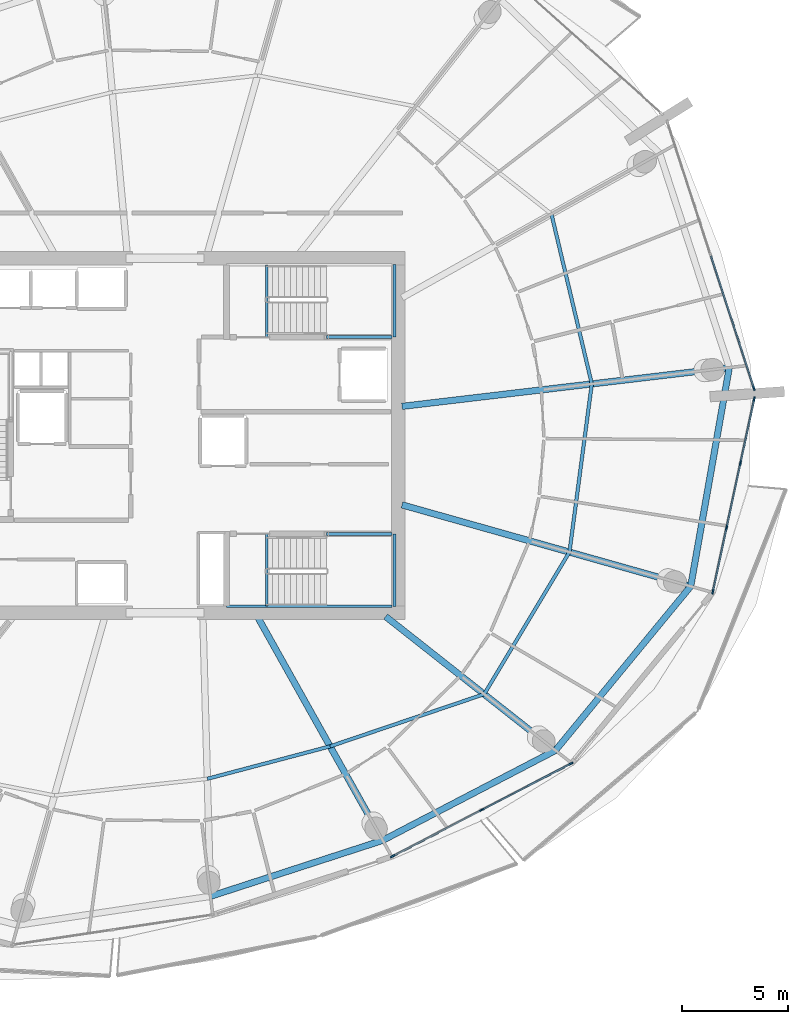
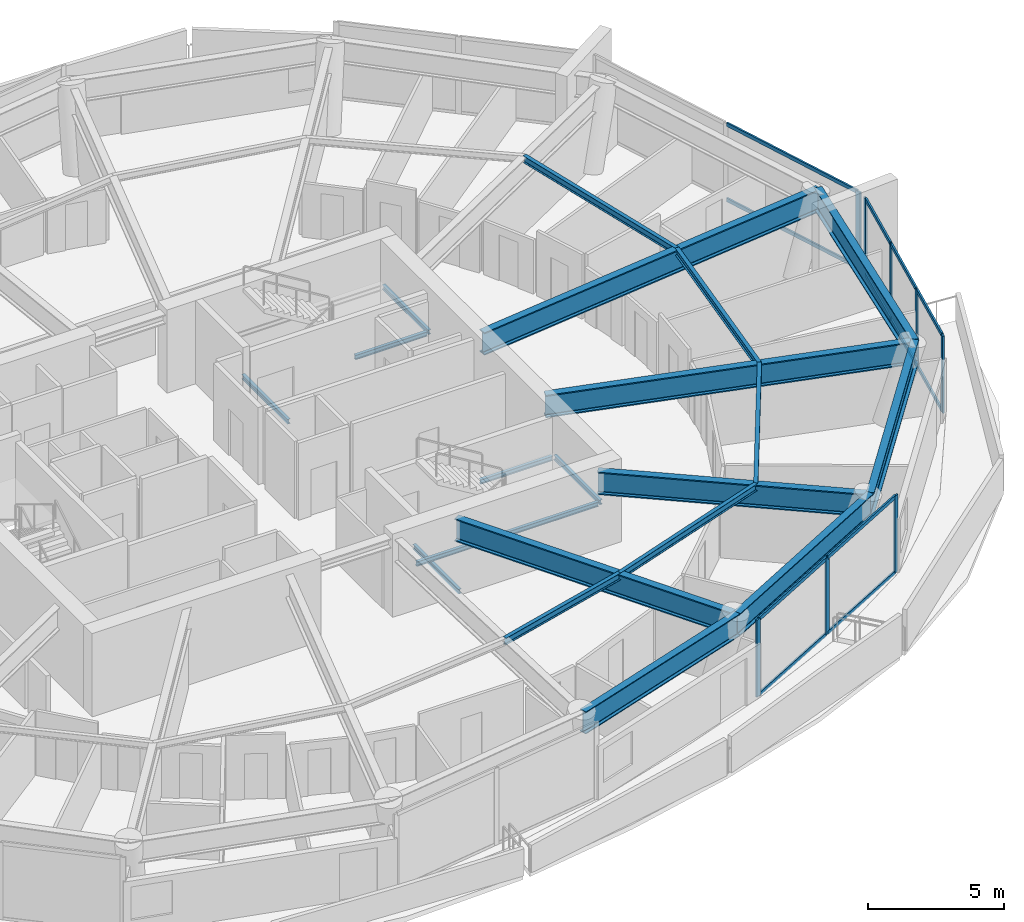
# One storey, part 6 of 20: 20 beams, 20 members, 3 elements without a shape of their own.
"""IFC4 building model written with IfcOpenShell, lengths in metres."""

import ifcopenshell
import ifcopenshell.guid

model = None  # the IFC model being written
_history = None  # IfcOwnerHistory: only IFC2X3 demands one
_inside = {}  # id of a spatial element -> (the spatial element, [elements in it])
_under = {}  # id of a project, library or spatial element -> (it, [spatial elements below it])
_declared = {}  # id of a project -> (the project, [libraries it declares])
_typed = {}  # id of a type object -> (the type object, [elements of that type])
_made_of = {}  # id of a material, layer set ... -> (it, [elements and type objects made of it])


def new_model(schema):
    """Start an empty IFC model of exactly this schema.

    Asked for "IFC4X3", IfcOpenShell would pick the latest addendum, in which some entities
    have other attributes; the version numbers below select the first issue.
    IFC2X3 requires an IfcOwnerHistory on every rooted entity: one is made here for all.
    """
    global model, _history
    if schema == "IFC4X3":
        model = ifcopenshell.file(schema_version=(4, 3, 0, 0))
    else:
        model = ifcopenshell.file(schema=schema)
    _inside.clear()
    _under.clear()
    _declared.clear()
    _typed.clear()
    _made_of.clear()
    _history = None
    if model.schema == "IFC2X3":
        org = make("IfcOrganization", Name="unknown")
        user = make(
            "IfcPersonAndOrganization",
            ThePerson=make("IfcPerson", FamilyName="unknown"),
            TheOrganization=org,
        )
        app = make(
            "IfcApplication",
            ApplicationDeveloper=org,
            Version="unknown",
            ApplicationFullName="unknown",
            ApplicationIdentifier="unknown",
        )
        _history = make(
            "IfcOwnerHistory",
            OwningUser=user,
            OwningApplication=app,
            ChangeAction="ADDED",
            CreationDate=0,
        )
    return model


def make(cls, **values):
    """One entity of the class cls with the attributes given. An attribute that is None is left unset."""
    return model.create_entity(
        cls, **{name: value for name, value in values.items() if value is not None}
    )


def rooted(cls, **values):
    """An entity with a GlobalId (a new one), such as an element, a storey or a relation."""
    return make(cls, GlobalId=ifcopenshell.guid.new(), OwnerHistory=_history, **values)


def si_unit(unit_type, name, prefix=None):
    """IfcSIUnit, for example si_unit("LENGTHUNIT", "METRE", prefix="MILLI")."""
    return make("IfcSIUnit", UnitType=unit_type, Prefix=prefix, Name=name)


def assignment(units):
    """IfcUnitAssignment: the units of a project."""
    return None if units is None else make("IfcUnitAssignment", Units=units)


def point(xyz):
    """IfcCartesianPoint."""
    return None if xyz is None else make("IfcCartesianPoint", Coordinates=xyz)


def direction(xyz):
    """IfcDirection."""
    return None if xyz is None else make("IfcDirection", DirectionRatios=xyz)


def frame(location, z_axis=None, x_axis=None):
    """IfcAxis2Placement3D, a coordinate frame: its origin and axes. An axis left out is left unset."""
    return make(
        "IfcAxis2Placement3D",
        Location=point(location),
        Axis=direction(z_axis),
        RefDirection=direction(x_axis),
    )


def frame_2d(location, x_axis=None):
    """IfcAxis2Placement2D, a coordinate frame in the plane: its origin and x axis."""
    return make(
        "IfcAxis2Placement2D", Location=point(location), RefDirection=direction(x_axis)
    )


def origin():
    """The frame at (0, 0, 0) with its axes left unset."""
    return frame((0.0, 0.0, 0.0))


def origin_2d():
    """The frame at (0, 0) in the plane with its x axis left unset."""
    return frame_2d((0.0, 0.0))


def place(relative_to, where):
    """IfcLocalPlacement: puts the frame where relative to a parent placement (None: the world)."""
    return make(
        "IfcLocalPlacement", PlacementRelTo=relative_to, RelativePlacement=where
    )


def context(
    kind, dimensions, precision=None, world=None, true_north=None, identifier=None
):
    """IfcGeometricRepresentationContext, for example the 3D "Model" context."""
    return make(
        "IfcGeometricRepresentationContext",
        ContextIdentifier=identifier,
        ContextType=kind,
        CoordinateSpaceDimension=dimensions,
        Precision=precision,
        WorldCoordinateSystem=world,
        TrueNorth=true_north,
    )


def subcontext(parent, identifier, kind, view, scale=None):
    """IfcGeometricRepresentationSubContext, for example "Body" below "Model"."""
    return make(
        "IfcGeometricRepresentationSubContext",
        ContextIdentifier=identifier,
        ContextType=kind,
        ParentContext=parent,
        TargetScale=scale,
        TargetView=view,
    )


def project(units=None, contexts=None):
    """IfcProject with its units and contexts."""
    return rooted(
        "IfcProject",
        Name="project",
        RepresentationContexts=contexts,
        UnitsInContext=assignment(units),
    )


def spatial(cls, under=None, at=None, **own):
    """A site, building, storey or space (cls), placed at a placement, below another one or the project."""
    s = rooted(cls, ObjectPlacement=at, **own)
    if under is not None:
        _under.setdefault(under.id(), (under, []))[1].append(s)
    return s


def profile(cls, at=None, kind="AREA", **sizes):
    """A parametric profile (cls). Its sizes go by their IFC names, for example OverallWidth=200.0."""
    return make(cls, ProfileType=kind, Position=at, **sizes)


def rectangle(**sizes):
    """IfcRectangleProfileDef."""
    return profile("IfcRectangleProfileDef", **sizes)


def i_section(**sizes):
    """IfcIShapeProfileDef."""
    return profile("IfcIShapeProfileDef", **sizes)


def extrude(swept, where, along, depth):
    """IfcExtrudedAreaSolid: the profile swept, set in the frame where, extruded along a direction by depth."""
    return make(
        "IfcExtrudedAreaSolid",
        SweptArea=swept,
        Position=where,
        ExtrudedDirection=direction(along),
        Depth=depth,
    )


def shape(context_of_items, identifier, shape_type, items):
    """IfcShapeRepresentation: the items that make up one representation, for example the "Body"."""
    return make(
        "IfcShapeRepresentation",
        ContextOfItems=context_of_items,
        RepresentationIdentifier=identifier,
        RepresentationType=shape_type,
        Items=items,
    )


def material(Name=None, Category=None):
    """IfcMaterial."""
    return make("IfcMaterial", Name=Name, Category=Category)


def layer(
    of_material, thickness, ventilated=None, Name=None, Category=None, Priority=None
):
    """IfcMaterialLayer: one layer of a wall or slab, of a material (None: an air gap)."""
    return make(
        "IfcMaterialLayer",
        Material=of_material,
        LayerThickness=thickness,
        IsVentilated=ventilated,
        Name=Name,
        Category=Category,
        Priority=Priority,
    )


def layer_set(layers, Name=None):
    """IfcMaterialLayerSet."""
    return make("IfcMaterialLayerSet", MaterialLayers=layers, LayerSetName=Name)


def material_profile(
    of_material, cross_section, Name=None, Category=None, Priority=None
):
    """IfcMaterialProfile: a cross section and its material."""
    return make(
        "IfcMaterialProfile",
        Name=Name,
        Material=of_material,
        Profile=cross_section,
        Priority=Priority,
        Category=Category,
    )


def profile_set(profiles, Name=None, composite=None):
    """IfcMaterialProfileSet."""
    return make(
        "IfcMaterialProfileSet",
        Name=Name,
        MaterialProfiles=profiles,
        CompositeProfile=composite,
    )


def made_of(thing, what):
    """Note that an element or type object is made of a material, layer set ...; save() writes the relation."""
    if what is not None:
        _made_of.setdefault(what.id(), (what, []))[1].append(thing)
    return thing


def type_object(cls, material=None, **own):
    """A type object (cls), such as IfcWallType, which elements share."""
    return made_of(rooted(cls, **own), material)


def element(
    cls,
    number,
    at=None,
    inside=None,
    cuts=None,
    type_object=None,
    material=None,
    context=None,
    identifier="Body",
    shape_type=None,
    held_by="IfcProductDefinitionShape",
    body=None,
    shapes=None,
    **own,
):
    """One element of the class cls, such as IfcWall. Its Tag is "e" and its number.

    at: its placement. inside: the storey or other place that contains it. cuts: it is an
    opening in that element (IfcRelVoidsElement). A single representation is given by context,
    identifier, shape_type and body (its items); several are given by shapes. held_by: the class
    of the entity that holds the representations. save() writes the other relations.
    """
    e = rooted(cls, Tag="e%d" % number, ObjectPlacement=at, **own)
    if body is not None:
        shapes = [shape(context, identifier, shape_type, body)]
    if shapes is not None:
        e.Representation = make(held_by, Representations=shapes)
    if inside is not None:
        _inside.setdefault(inside.id(), (inside, []))[1].append(e)
    if cuts is not None:
        rooted(
            "IfcRelVoidsElement", RelatingBuildingElement=cuts, RelatedOpeningElement=e
        )
    if type_object is not None:
        _typed.setdefault(type_object.id(), (type_object, []))[1].append(e)
    return made_of(e, material)


def aggregate(whole, parts):
    """IfcRelAggregates: a whole, such as a stair, and the parts it consists of."""
    return rooted("IfcRelAggregates", RelatingObject=whole, RelatedObjects=parts)


def save(model, path):
    """Write the relations noted so far, then the file.

    IfcRelAggregates (storeys below a building ...), IfcRelContainedInSpatialStructure (elements
    in a storey), IfcRelDefinesByType, IfcRelAssociatesMaterial and IfcRelDeclares: one each for
    every whole, place, type object, material and project.
    """
    for whole, parts in _under.values():
        aggregate(whole, parts)
    for where, things in _inside.values():
        rooted(
            "IfcRelContainedInSpatialStructure",
            RelatedElements=things,
            RelatingStructure=where,
        )
    for kind, things in _typed.values():
        rooted("IfcRelDefinesByType", RelatedObjects=things, RelatingType=kind)
    for what, things in _made_of.values():
        rooted("IfcRelAssociatesMaterial", RelatedObjects=things, RelatingMaterial=what)
    for by, libraries in _declared.values():
        rooted("IfcRelDeclares", RelatingContext=by, RelatedDefinitions=libraries)
    model.write(path)


model = new_model("IFC4")

# Units and contexts
model_context = context("Model", 3, precision=1e-05, world=origin(), true_north=direction((0.0, 1.0)))
body_context = subcontext(model_context, "Body", "Model", "MODEL_VIEW")
ifc_project = project(units=[si_unit("LENGTHUNIT", "METRE"), si_unit("AREAUNIT", "SQUARE_METRE"), si_unit("VOLUMEUNIT", "CUBIC_METRE"), si_unit("PLANEANGLEUNIT", "RADIAN"), si_unit("MASSUNIT", "GRAM", prefix="KILO")], contexts=[model_context])

# Site, building, storey
site_placement = place(None, origin())
site = spatial("IfcSite", under=ifc_project, at=site_placement, CompositionType="ELEMENT")
building_placement = place(site_placement, origin())
building = spatial("IfcBuilding", under=site, at=building_placement, Name="Kazma Halo Residences", CompositionType="ELEMENT")
storey_placement = place(building_placement, frame((0.0, 0.0, 221.550048828125)))
storey = spatial("IfcBuildingStorey", under=building, at=storey_placement, Name="L56", CompositionType="ELEMENT", Elevation=221.550048828125)

# Beams
ifc_material_1 = material(Name="Steel S355", Category="steel")
ifc_material_profile_1 = material_profile(ifc_material_1, i_section(OverallWidth=0.1650390625, OverallDepth=0.31005859375, WebThickness=0.005859375, FlangeThickness=0.009765625, FilletRadius=0.011962890625, at=origin_2d()), Name="W310x38.7")
ifc_profile_set_1 = profile_set([ifc_material_profile_1], Name="Steel S355")
beam_type_1 = type_object("IfcBeamType", Name="BM-SEC-W310B", PredefinedType="JOIST", material=ifc_profile_set_1)
beam_1_placement = place(storey_placement, frame((50.4091796875, 25.881591796875, 3.31494140625), z_axis=(0.966806147025, 0.255511005779, 0.0), x_axis=(-0.255511005779, 0.966806147025, 0.0)))
element("IfcBeam", 1, at=beam_1_placement, inside=storey, type_object=beam_type_1, Name="L56 circumferential floor joist 12", PredefinedType="JOIST", context=body_context, shape_type="SweptSolid", body=[
    extrude(i_section(OverallWidth=0.1650390625, OverallDepth=0.31005859375, WebThickness=0.005859375, FlangeThickness=0.009765625, FilletRadius=0.011962890625, at=origin_2d()), origin(), (0.0, 0.0, 1.0), 5.96240234375),
])
beam_2_placement = place(storey_placement, frame((56.173583984375, 27.405029296875, 3.31494140625), z_axis=(0.947160242691, 0.320760774823, 0.0), x_axis=(-0.320760774823, 0.947160242691, 0.0)))
element("IfcBeam", 2, at=beam_2_placement, inside=storey, type_object=beam_type_1, Name="L56 circumferential floor joist 13", PredefinedType="JOIST", context=body_context, shape_type="SweptSolid", body=[
    extrude(i_section(OverallWidth=0.1650390625, OverallDepth=0.31005859375, WebThickness=0.005859375, FlangeThickness=0.009765625, FilletRadius=0.011962890625, at=origin_2d()), origin(), (0.0, 0.0, 1.0), 7.636474609375),
])
beam_3_placement = place(storey_placement, frame((63.406494140625, 29.8544921875, 3.31494140625), z_axis=(0.514786415493, 0.857318462664, 0.0), x_axis=(-0.857318462664, 0.514786415493, 0.0)))
element("IfcBeam", 3, at=beam_3_placement, inside=storey, type_object=beam_type_1, Name="L56 circumferential floor joist 14", PredefinedType="JOIST", context=body_context, shape_type="SweptSolid", body=[
    extrude(i_section(OverallWidth=0.1650390625, OverallDepth=0.31005859375, WebThickness=0.005859375, FlangeThickness=0.009765625, FilletRadius=0.011962890625, at=origin_2d()), origin(), (0.0, 0.0, 1.0), 7.781005859375),
])
beam_4_placement = place(storey_placement, frame((67.412109375, 36.525390625, 3.31494140625), z_axis=(0.131786298749, 0.991278150401, 0.0), x_axis=(-0.991278150401, 0.131786298749, 0.0)))
element("IfcBeam", 4, at=beam_4_placement, inside=storey, type_object=beam_type_1, Name="L56 circumferential floor joist 15", PredefinedType="JOIST", context=body_context, shape_type="SweptSolid", body=[
    extrude(i_section(OverallWidth=0.1650390625, OverallDepth=0.31005859375, WebThickness=0.005859375, FlangeThickness=0.009765625, FilletRadius=0.011962890625, at=origin_2d()), origin(), (0.0, 0.0, 1.0), 7.966064453125),
])
beam_5_placement = place(storey_placement, frame((68.4619140625, 44.421875, 3.31494140625), z_axis=(-0.231188363292, 0.972909009455, 0.0), x_axis=(-0.972909009455, -0.231188363292, 0.0)))
element("IfcBeam", 5, at=beam_5_placement, inside=storey, type_object=beam_type_1, Name="L56 circumferential floor joist 16", PredefinedType="JOIST", context=body_context, shape_type="SweptSolid", body=[
    extrude(i_section(OverallWidth=0.1650390625, OverallDepth=0.31005859375, WebThickness=0.005859375, FlangeThickness=0.009765625, FilletRadius=0.011962890625, at=origin_2d()), origin(), (0.0, 0.0, 1.0), 8.197998046875),
])
ifc_material_profile_2 = material_profile(ifc_material_1, i_section(OverallWidth=0.302001953125, OverallDepth=1.01806640625, WebThickness=0.021484375, FlangeThickness=0.049072265625, FilletRadius=0.028076171875, at=origin_2d()), Name="W1000x443")
ifc_profile_set_2 = profile_set([ifc_material_profile_2], Name="Steel S355")
beam_type_2 = type_object("IfcBeamType", Name="BM-TRANS-W1000A", PredefinedType="BEAM", material=ifc_profile_set_2)
beam_6_placement = place(storey_placement, frame((52.76025390625, 33.5, 2.9609375), z_axis=(0.488626207297, -0.872493226073, 0.0), x_axis=(0.872493226073, 0.488626207297, 0.0)))
element("IfcBeam", 6, at=beam_6_placement, inside=storey, type_object=beam_type_2, Name="L56 podium radial transfer girder 13", PredefinedType="BEAM", context=body_context, shape_type="SweptSolid", body=[
    extrude(i_section(OverallWidth=0.302001953125, OverallDepth=1.01806640625, WebThickness=0.021484375, FlangeThickness=0.049072265625, FilletRadius=0.028076171875, at=origin_2d()), origin(), (0.0, 0.0, 1.0), 12.0439453125),
])
beam_7_placement = place(storey_placement, frame((58.7822265625, 33.5, 2.9609375), z_axis=(0.785313457857, -0.619098354794, 0.0), x_axis=(0.619098354794, 0.785313457857, 0.0)))
element("IfcBeam", 7, at=beam_7_placement, inside=storey, type_object=beam_type_2, Name="L56 podium radial transfer girder 14", PredefinedType="BEAM", context=body_context, shape_type="SweptSolid", body=[
    extrude(i_section(OverallWidth=0.302001953125, OverallDepth=1.01806640625, WebThickness=0.021484375, FlangeThickness=0.049072265625, FilletRadius=0.028076171875, at=origin_2d()), origin(), (0.0, 0.0, 1.0), 10.152587890625),
])
beam_8_placement = place(storey_placement, frame((59.550048828125, 38.74267578125, 2.9609375), z_axis=(0.962455714271, -0.271438755647, 0.0), x_axis=(0.271438755647, 0.962455714271, 0.0)))
element("IfcBeam", 8, at=beam_8_placement, inside=storey, type_object=beam_type_2, Name="L56 podium radial transfer girder 15", PredefinedType="BEAM", context=body_context, shape_type="SweptSolid", body=[
    extrude(i_section(OverallWidth=0.302001953125, OverallDepth=1.01806640625, WebThickness=0.021484375, FlangeThickness=0.049072265625, FilletRadius=0.028076171875, at=origin_2d()), origin(), (0.0, 0.0, 1.0), 14.084228515625),
])
beam_9_placement = place(storey_placement, frame((59.550048828125, 43.366943359375, 2.9609375), z_axis=(0.993066771361, 0.117551638093, 0.0), x_axis=(-0.117551638093, 0.993066771361, 0.0)))
element("IfcBeam", 9, at=beam_9_placement, inside=storey, type_object=beam_type_2, Name="L56 podium radial transfer girder 16", PredefinedType="BEAM", context=body_context, shape_type="SweptSolid", body=[
    extrude(i_section(OverallWidth=0.302001953125, OverallDepth=1.01806640625, WebThickness=0.021484375, FlangeThickness=0.049072265625, FilletRadius=0.028076171875, at=origin_2d()), origin(), (0.0, 0.0, 1.0), 15.47265625),
])
ifc_material_profile_3 = material_profile(ifc_material_1, i_section(OverallWidth=0.300048828125, OverallDepth=1.0, WebThickness=0.01904296875, FlangeThickness=0.0400390625, FilletRadius=0.02587890625, at=origin_2d()), Name="W1000x371")
ifc_profile_set_3 = profile_set([ifc_material_profile_3], Name="Steel S355")
beam_type_3 = type_object("IfcBeamType", Name="BM-TRANS-W1000B", PredefinedType="BEAM", material=ifc_profile_set_3)
beam_10_placement = place(storey_placement, frame((50.560791015625, 20.36474609375, 2.969970703125), z_axis=(0.951051374236, 0.309032819556, 0.0), x_axis=(-0.309032819556, 0.951051374236, 0.0)))
element("IfcBeam", 10, at=beam_10_placement, inside=storey, type_object=beam_type_3, Name="L56 perimeter ring beam 12", PredefinedType="BEAM", context=body_context, shape_type="SweptSolid", body=[
    extrude(i_section(OverallWidth=0.300048828125, OverallDepth=1.0, WebThickness=0.01904296875, FlangeThickness=0.0400390625, FilletRadius=0.02587890625, at=origin_2d()), origin(), (0.0, 0.0, 1.0), 8.50048828125),
])
beam_11_placement = place(storey_placement, frame((58.645263671875, 22.99169921875, 2.969970703125), z_axis=(0.886958293318, 0.46184952735, 0.0), x_axis=(-0.46184952735, 0.886958293318, 0.0)))
element("IfcBeam", 11, at=beam_11_placement, inside=storey, type_object=beam_type_3, Name="L56 perimeter ring beam 13", PredefinedType="BEAM", context=body_context, shape_type="SweptSolid", body=[
    extrude(i_section(OverallWidth=0.300048828125, OverallDepth=1.0, WebThickness=0.01904296875, FlangeThickness=0.0400390625, FilletRadius=0.02587890625, at=origin_2d()), origin(), (0.0, 0.0, 1.0), 9.1435546875),
])
beam_12_placement = place(storey_placement, frame((66.755126953125, 27.214599609375, 2.969970703125), z_axis=(0.636004604932, 0.771685261299, 0.0), x_axis=(-0.771685261299, 0.636004604932, 0.0)))
element("IfcBeam", 12, at=beam_12_placement, inside=storey, type_object=beam_type_3, Name="L56 perimeter ring beam 14", PredefinedType="BEAM", context=body_context, shape_type="SweptSolid", body=[
    extrude(i_section(OverallWidth=0.300048828125, OverallDepth=1.0, WebThickness=0.01904296875, FlangeThickness=0.0400390625, FilletRadius=0.02587890625, at=origin_2d()), origin(), (0.0, 0.0, 1.0), 9.98486328125),
])
beam_13_placement = place(storey_placement, frame((73.10546875, 34.919677734375, 2.969970703125), z_axis=(0.173635695552, 0.984809953864, 0.0), x_axis=(-0.984809953864, 0.173635695552, 0.0)))
element("IfcBeam", 13, at=beam_13_placement, inside=storey, type_object=beam_type_3, Name="L56 perimeter ring beam 15", PredefinedType="BEAM", context=body_context, shape_type="SweptSolid", body=[
    extrude(i_section(OverallWidth=0.300048828125, OverallDepth=1.0, WebThickness=0.01904296875, FlangeThickness=0.0400390625, FilletRadius=0.02587890625, at=origin_2d()), origin(), (0.0, 0.0, 1.0), 10.424560546875),
])
ifc_material_profile_4 = material_profile(ifc_material_1, i_section(OverallWidth=0.133056640625, OverallDepth=0.20703125, WebThickness=0.005859375, FlangeThickness=0.00830078125, FilletRadius=0.010009765625, at=origin_2d()), Name="W200x26.6")
ifc_profile_set_4 = profile_set([ifc_material_profile_4], Name="Steel S355")
beam_type_4 = type_object("IfcBeamType", Name="BM-TRIM-W200", PredefinedType="BEAM", material=ifc_profile_set_4)
for number, where, z_axis, x_axis, name in (
    (14, (53.199951171875, 46.6201171875, -0.360107421875), (0.0, 1.0, 0.0), (-1.0, 0.0, 0.0), "L56 ST-02 floor landing support beam"),
    (15, (53.199951171875, 34.0, -0.360107421875), (0.0, 1.0, 0.0), (-1.0, 0.0, 0.0), "L56 ST-03 floor landing support beam"),
):
    element("IfcBeam", number, at=place(storey_placement, frame(where, z_axis=z_axis, x_axis=x_axis)), inside=storey, type_object=beam_type_4, Name=name, PredefinedType="BEAM", context=body_context, shape_type="SweptSolid", body=[
        extrude(i_section(OverallWidth=0.133056640625, OverallDepth=0.20703125, WebThickness=0.005859375, FlangeThickness=0.00830078125, FilletRadius=0.010009765625, at=origin_2d()), origin(), (0.0, 0.0, 1.0), 3.3798828125),
    ])
beam_14_placement = place(storey_placement, frame((56.0, 46.6201171875, 1.570068359375), z_axis=(1.0, 0.0, 0.0), x_axis=(0.0, 1.0, 0.0)))
element("IfcBeam", 16, at=beam_14_placement, inside=storey, type_object=beam_type_4, Name="L56 ST-02 landing south wall ledger", PredefinedType="BEAM", context=body_context, shape_type="SweptSolid", body=[
    extrude(i_section(OverallWidth=0.133056640625, OverallDepth=0.20703125, WebThickness=0.005859375, FlangeThickness=0.00830078125, FilletRadius=0.010009765625, at=origin_2d()), origin(), (0.0, 0.0, 1.0), 3.070068359375),
])
beam_15_placement = place(storey_placement, frame((59.18994140625, 46.6201171875, 1.570068359375), z_axis=(0.0, 1.0, 0.0), x_axis=(-1.0, 0.0, 0.0)))
element("IfcBeam", 17, at=beam_15_placement, inside=storey, type_object=beam_type_4, Name="L56 ST-02 landing end wall ledger", PredefinedType="BEAM", context=body_context, shape_type="SweptSolid", body=[
    extrude(i_section(OverallWidth=0.133056640625, OverallDepth=0.20703125, WebThickness=0.005859375, FlangeThickness=0.00830078125, FilletRadius=0.010009765625, at=origin_2d()), origin(), (0.0, 0.0, 1.0), 3.39990234375),
])
beam_16_placement = place(storey_placement, frame((51.31005859375, 33.97998046875, 1.570068359375), z_axis=(1.0, 0.0, 0.0), x_axis=(0.0, 1.0, 0.0)))
element("IfcBeam", 18, at=beam_16_placement, inside=storey, type_object=beam_type_4, Name="L56 ST-03 landing south wall ledger", PredefinedType="BEAM", context=body_context, shape_type="SweptSolid", body=[
    extrude(i_section(OverallWidth=0.133056640625, OverallDepth=0.20703125, WebThickness=0.005859375, FlangeThickness=0.00830078125, FilletRadius=0.010009765625, at=origin_2d()), origin(), (0.0, 0.0, 1.0), 7.760009765625),
])
beam_17_placement = place(storey_placement, frame((56.0, 37.3798828125, 1.570068359375), z_axis=(1.0, 0.0, 0.0), x_axis=(0.0, 1.0, 0.0)))
element("IfcBeam", 19, at=beam_17_placement, inside=storey, type_object=beam_type_4, Name="L56 ST-03 landing north wall ledger", PredefinedType="BEAM", context=body_context, shape_type="SweptSolid", body=[
    extrude(i_section(OverallWidth=0.133056640625, OverallDepth=0.20703125, WebThickness=0.005859375, FlangeThickness=0.00830078125, FilletRadius=0.010009765625, at=origin_2d()), origin(), (0.0, 0.0, 1.0), 3.070068359375),
])
beam_18_placement = place(storey_placement, frame((59.18994140625, 33.97998046875, 1.570068359375), z_axis=(0.0, 1.0, 0.0), x_axis=(-1.0, 0.0, 0.0)))
element("IfcBeam", 20, at=beam_18_placement, inside=storey, type_object=beam_type_4, Name="L56 ST-03 landing end wall ledger", PredefinedType="BEAM", context=body_context, shape_type="SweptSolid", body=[
    extrude(i_section(OverallWidth=0.133056640625, OverallDepth=0.20703125, WebThickness=0.005859375, FlangeThickness=0.00830078125, FilletRadius=0.010009765625, at=origin_2d()), origin(), (0.0, 0.0, 1.0), 3.39990234375),
])

# Curtain wall, members
ifc_material_2 = material(Name="Aluminium AW-6063 T6 and Triple-Silver Low-E Glass", Category="aluminium")
ifc_layer = layer(ifc_material_2, 0.219970703125)
ifc_layer_set = layer_set([ifc_layer], Name="Aluminium AW-6063 T6 and Triple-Silver Low-E Glass")
curtain_wall_type = type_object("IfcCurtainWallType", Name="CW-SYS-4", PredefinedType="NOTDEFINED", material=ifc_layer_set)
curtain_wall_1_placement = place(storey_placement, origin())
curtain_wall_1 = element("IfcCurtainWall", 21, at=curtain_wall_1_placement, inside=storey, type_object=curtain_wall_type, Name="L56 unitised curtain wall B13", PredefinedType="NOTDEFINED")
ifc_material_3 = material(Name="Aluminium AW-6063 T6", Category="aluminium")
ifc_material_profile_5 = material_profile(ifc_material_3, rectangle(XDim=0.074951171875, YDim=0.219970703125, at=origin_2d()), Name="CWM-75x220")
ifc_profile_set_5 = profile_set([ifc_material_profile_5], Name="Aluminium AW-6063 T6")
member_type_1 = type_object("IfcMemberType", Name="CW-SYS-4-MUL", PredefinedType="MULLION", material=ifc_profile_set_5)
member_1_placement = place(storey_placement, frame((59.105712890625, 22.24609375, 0.0), z_axis=(0.0, 0.0, 1.0), x_axis=(-0.460873851097, 0.887465657575, 0.0)))
member_1 = element("IfcMember", 22, at=member_1_placement, type_object=member_type_1, Name="CWS-4 mullion 1", PredefinedType="MULLION", context=body_context, shape_type="SweptSolid", body=[
    extrude(rectangle(XDim=0.074951171875, YDim=0.219970703125, at=origin_2d()), origin(), (0.0, 0.0, 1.0), 3.469970703125),
])
member_2_placement = place(storey_placement, frame((63.294677734375, 24.421630859375, 0.0), z_axis=(0.0, 0.0, 1.0), x_axis=(-0.460873851097, 0.887465657575, 0.0)))
member_2 = element("IfcMember", 23, at=member_2_placement, type_object=member_type_1, Name="CWS-4 mullion 2", PredefinedType="MULLION", context=body_context, shape_type="SweptSolid", body=[
    extrude(rectangle(XDim=0.074951171875, YDim=0.219970703125, at=origin_2d()), origin(), (0.0, 0.0, 1.0), 3.469970703125),
])
member_3_placement = place(storey_placement, frame((67.4833984375, 26.596923828125, 0.0), z_axis=(0.0, 0.0, 1.0), x_axis=(-0.460873851097, 0.887465657575, 0.0)))
member_3 = element("IfcMember", 24, at=member_3_placement, type_object=member_type_1, Name="CWS-4 mullion 3", PredefinedType="MULLION", context=body_context, shape_type="SweptSolid", body=[
    extrude(rectangle(XDim=0.074951171875, YDim=0.219970703125, at=origin_2d()), origin(), (0.0, 0.0, 1.0), 3.469970703125),
])

curtain_wall_2_placement = place(storey_placement, origin())
curtain_wall_2 = element("IfcCurtainWall", 25, at=curtain_wall_2_placement, inside=storey, type_object=curtain_wall_type, Name="L56 unitised curtain wall B15", PredefinedType="NOTDEFINED")
member_4_placement = place(storey_placement, frame((74.1435546875, 34.665771484375, 0.0), z_axis=(0.0, 0.0, 1.0), x_axis=(-0.977768017212, 0.209689543175, 0.0)))
member_4 = element("IfcMember", 26, at=member_4_placement, type_object=member_type_1, Name="CWS-4 mullion 1", PredefinedType="MULLION", context=body_context, shape_type="SweptSolid", body=[
    extrude(rectangle(XDim=0.074951171875, YDim=0.219970703125, at=origin_2d()), origin(), (0.0, 0.0, 1.0), 3.469970703125),
])
member_5_placement = place(storey_placement, frame((74.787109375, 37.6669921875, 0.0), z_axis=(0.0, 0.0, 1.0), x_axis=(-0.977768017212, 0.209689543175, 0.0)))
member_5 = element("IfcMember", 27, at=member_5_placement, type_object=member_type_1, Name="CWS-4 mullion 2", PredefinedType="MULLION", context=body_context, shape_type="SweptSolid", body=[
    extrude(rectangle(XDim=0.074951171875, YDim=0.219970703125, at=origin_2d()), origin(), (0.0, 0.0, 1.0), 3.469970703125),
])
member_6_placement = place(storey_placement, frame((75.438720703125, 40.704833984375, 0.0), z_axis=(0.0, 0.0, 1.0), x_axis=(-0.977768017212, 0.209689543175, 0.0)))
member_6 = element("IfcMember", 28, at=member_6_placement, type_object=member_type_1, Name="CWS-4 mullion 3", PredefinedType="MULLION", context=body_context, shape_type="SweptSolid", body=[
    extrude(rectangle(XDim=0.074951171875, YDim=0.219970703125, at=origin_2d()), origin(), (0.0, 0.0, 1.0), 3.469970703125),
])
member_7_placement = place(storey_placement, frame((76.082275390625, 43.7060546875, 0.0), z_axis=(0.0, 0.0, 1.0), x_axis=(-0.977768017212, 0.209689543175, 0.0)))
member_7 = element("IfcMember", 29, at=member_7_placement, type_object=member_type_1, Name="CWS-4 mullion 4", PredefinedType="MULLION", context=body_context, shape_type="SweptSolid", body=[
    extrude(rectangle(XDim=0.074951171875, YDim=0.219970703125, at=origin_2d()), origin(), (0.0, 0.0, 1.0), 3.469970703125),
])

# Curtain wall, member
curtain_wall_3_placement = place(storey_placement, origin())
curtain_wall_3 = element("IfcCurtainWall", 30, at=curtain_wall_3_placement, inside=storey, type_object=curtain_wall_type, Name="L56 unitised curtain wall B16", PredefinedType="NOTDEFINED")
member_8_placement = place(storey_placement, frame((76.0712890625, 44.22119140625, 0.0), z_axis=(0.0, 0.0, 1.0), x_axis=(-0.951056893636, -0.309015833038, 0.0)))
member_8 = element("IfcMember", 31, at=member_8_placement, type_object=member_type_1, Name="CWS-4 mullion 1", PredefinedType="MULLION", context=body_context, shape_type="SweptSolid", body=[
    extrude(rectangle(XDim=0.074951171875, YDim=0.219970703125, at=origin_2d()), origin(), (0.0, 0.0, 1.0), 3.469970703125),
])

# Member
ifc_material_profile_6 = material_profile(ifc_material_3, rectangle(XDim=0.074951171875, YDim=0.1650390625, at=origin_2d()), Name="CWT-75x165")
ifc_profile_set_6 = profile_set([ifc_material_profile_6], Name="Aluminium AW-6063 T6")
member_type_2 = type_object("IfcMemberType", Name="CW-SYS-4-TRN", PredefinedType="USERDEFINED", material=ifc_profile_set_6)
member_9_placement = place(storey_placement, frame((59.138916015625, 22.263427734375, 0.037353515625), z_axis=(0.887457630519, 0.460889307789, 0.0), x_axis=(-0.460889307789, 0.887457630519, 0.0)))
member_9 = element("IfcMember", 32, at=member_9_placement, type_object=member_type_2, Name="CWS-4 transom 1.1", ObjectType="TRANSOM", PredefinedType="USERDEFINED", context=body_context, shape_type="SweptSolid", body=[
    extrude(rectangle(XDim=0.074951171875, YDim=0.1650390625, at=origin_2d()), origin(), (0.0, 0.0, 1.0), 4.64501953125),
])

member_10_placement = place(storey_placement, frame((59.138916015625, 22.263427734375, 3.432373046875), z_axis=(0.887457630519, 0.460889307789, 0.0), x_axis=(-0.460889307789, 0.887457630519, 0.0)))
member_10 = element("IfcMember", 33, at=member_10_placement, type_object=member_type_2, Name="CWS-4 transom 1.2", ObjectType="TRANSOM", PredefinedType="USERDEFINED", context=body_context, shape_type="SweptSolid", body=[
    extrude(rectangle(XDim=0.074951171875, YDim=0.1650390625, at=origin_2d()), origin(), (0.0, 0.0, 1.0), 4.64501953125),
])

member_11_placement = place(storey_placement, frame((63.327880859375, 24.438720703125, 0.037353515625), z_axis=(0.887457630519, 0.460889307789, 0.0), x_axis=(-0.460889307789, 0.887457630519, 0.0)))
member_11 = element("IfcMember", 34, at=member_11_placement, type_object=member_type_2, Name="CWS-4 transom 2.1", ObjectType="TRANSOM", PredefinedType="USERDEFINED", context=body_context, shape_type="SweptSolid", body=[
    extrude(rectangle(XDim=0.074951171875, YDim=0.1650390625, at=origin_2d()), origin(), (0.0, 0.0, 1.0), 4.64501953125),
])

member_12_placement = place(storey_placement, frame((63.327880859375, 24.438720703125, 3.432373046875), z_axis=(0.887457630519, 0.460889307789, 0.0), x_axis=(-0.460889307789, 0.887457630519, 0.0)))
member_12 = element("IfcMember", 35, at=member_12_placement, type_object=member_type_2, Name="CWS-4 transom 2.2", ObjectType="TRANSOM", PredefinedType="USERDEFINED", context=body_context, shape_type="SweptSolid", body=[
    extrude(rectangle(XDim=0.074951171875, YDim=0.1650390625, at=origin_2d()), origin(), (0.0, 0.0, 1.0), 4.64501953125),
])

aggregate(curtain_wall_1, [member_1, member_2, member_3, member_9, member_10, member_11, member_12])

member_13_placement = place(storey_placement, frame((74.1513671875, 34.702392578125, 0.037353515625), z_axis=(0.209707268418, 0.977764215735, 0.0), x_axis=(-0.977764215735, 0.209707268418, 0.0)))
member_13 = element("IfcMember", 36, at=member_13_placement, type_object=member_type_2, Name="CWS-4 transom 1.1", ObjectType="TRANSOM", PredefinedType="USERDEFINED", context=body_context, shape_type="SweptSolid", body=[
    extrude(rectangle(XDim=0.074951171875, YDim=0.1650390625, at=origin_2d()), origin(), (0.0, 0.0, 1.0), 2.994384765625),
])

member_14_placement = place(storey_placement, frame((74.1513671875, 34.702392578125, 3.432373046875), z_axis=(0.209707268418, 0.977764215735, 0.0), x_axis=(-0.977764215735, 0.209707268418, 0.0)))
member_14 = element("IfcMember", 37, at=member_14_placement, type_object=member_type_2, Name="CWS-4 transom 1.2", ObjectType="TRANSOM", PredefinedType="USERDEFINED", context=body_context, shape_type="SweptSolid", body=[
    extrude(rectangle(XDim=0.074951171875, YDim=0.1650390625, at=origin_2d()), origin(), (0.0, 0.0, 1.0), 2.994384765625),
])

member_15_placement = place(storey_placement, frame((74.794921875, 37.70361328125, 0.037353515625), z_axis=(0.209677559804, 0.977770587057, 0.0), x_axis=(-0.977770587057, 0.209677559804, 0.0)))
member_15 = element("IfcMember", 38, at=member_15_placement, type_object=member_type_2, Name="CWS-4 transom 2.1", ObjectType="TRANSOM", PredefinedType="USERDEFINED", context=body_context, shape_type="SweptSolid", body=[
    extrude(rectangle(XDim=0.074951171875, YDim=0.1650390625, at=origin_2d()), origin(), (0.0, 0.0, 1.0), 3.031982421875),
])

member_16_placement = place(storey_placement, frame((74.794921875, 37.70361328125, 3.432373046875), z_axis=(0.209677559804, 0.977770587057, 0.0), x_axis=(-0.977770587057, 0.209677559804, 0.0)))
member_16 = element("IfcMember", 39, at=member_16_placement, type_object=member_type_2, Name="CWS-4 transom 2.2", ObjectType="TRANSOM", PredefinedType="USERDEFINED", context=body_context, shape_type="SweptSolid", body=[
    extrude(rectangle(XDim=0.074951171875, YDim=0.1650390625, at=origin_2d()), origin(), (0.0, 0.0, 1.0), 3.031982421875),
])

member_17_placement = place(storey_placement, frame((75.446533203125, 40.741455078125, 0.037353515625), z_axis=(0.209690551496, 0.97776780097, 0.0), x_axis=(-0.97776780097, 0.209690551496, 0.0)))
member_17 = element("IfcMember", 40, at=member_17_placement, type_object=member_type_2, Name="CWS-4 transom 3.1", ObjectType="TRANSOM", PredefinedType="USERDEFINED", context=body_context, shape_type="SweptSolid", body=[
    extrude(rectangle(XDim=0.074951171875, YDim=0.1650390625, at=origin_2d()), origin(), (0.0, 0.0, 1.0), 2.99462890625),
])

member_18_placement = place(storey_placement, frame((75.446533203125, 40.741455078125, 3.432373046875), z_axis=(0.209690551496, 0.97776780097, 0.0), x_axis=(-0.97776780097, 0.209690551496, 0.0)))
member_18 = element("IfcMember", 41, at=member_18_placement, type_object=member_type_2, Name="CWS-4 transom 3.2", ObjectType="TRANSOM", PredefinedType="USERDEFINED", context=body_context, shape_type="SweptSolid", body=[
    extrude(rectangle(XDim=0.074951171875, YDim=0.1650390625, at=origin_2d()), origin(), (0.0, 0.0, 1.0), 2.99462890625),
])

aggregate(curtain_wall_2, [member_4, member_5, member_6, member_7, member_13, member_14, member_15, member_16, member_17, member_18])

member_19_placement = place(storey_placement, frame((76.0595703125, 44.2568359375, 0.037353515625), z_axis=(-0.30902650142, 0.951053427217, 0.0), x_axis=(-0.951053427217, -0.30902650142, 0.0)))
member_19 = element("IfcMember", 42, at=member_19_placement, type_object=member_type_2, Name="CWS-4 transom 1.1", ObjectType="TRANSOM", PredefinedType="USERDEFINED", context=body_context, shape_type="SweptSolid", body=[
    extrude(rectangle(XDim=0.074951171875, YDim=0.1650390625, at=origin_2d()), origin(), (0.0, 0.0, 1.0), 6.487060546875),
])

member_20_placement = place(storey_placement, frame((76.0595703125, 44.2568359375, 3.432373046875), z_axis=(-0.30902650142, 0.951053427217, 0.0), x_axis=(-0.951053427217, -0.30902650142, 0.0)))
member_20 = element("IfcMember", 43, at=member_20_placement, type_object=member_type_2, Name="CWS-4 transom 1.2", ObjectType="TRANSOM", PredefinedType="USERDEFINED", context=body_context, shape_type="SweptSolid", body=[
    extrude(rectangle(XDim=0.074951171875, YDim=0.1650390625, at=origin_2d()), origin(), (0.0, 0.0, 1.0), 6.487060546875),
])

aggregate(curtain_wall_3, [member_8, member_19, member_20])

save(model, "model.ifc")
